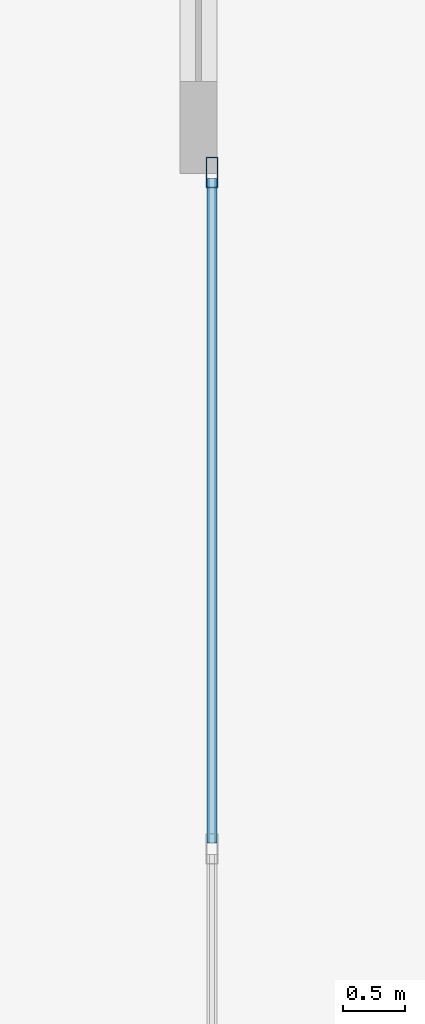
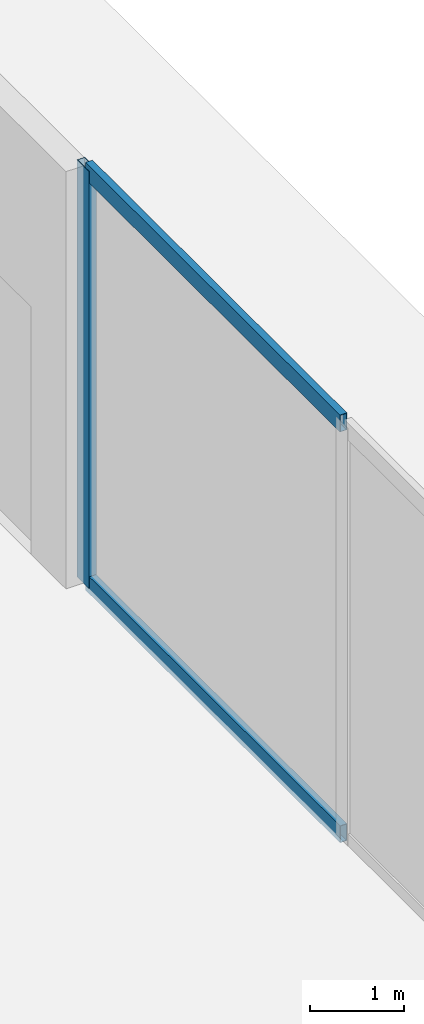
# One storey, part 14 of 27: 3 members, 1 element without a shape of its own.
"""IFC4 building model written with IfcOpenShell, lengths in metres."""

from ifc_helpers import new_model, si_unit, direction, frame, origin, origin_2d, place, context, subcontext, project, spatial, hollow_rectangle, extrude, material, layer, layer_set, material_profile, profile_set, type_object, element, aggregate, save


model = new_model("IFC4")

# Units and contexts
model_context = context("Model", 3, precision=1e-05, world=origin(), true_north=direction((0.0, 1.0)))
body_context = subcontext(model_context, "Body", "Model", "MODEL_VIEW")
ifc_project = project(units=[si_unit("LENGTHUNIT", "METRE"), si_unit("AREAUNIT", "SQUARE_METRE"), si_unit("VOLUMEUNIT", "CUBIC_METRE"), si_unit("PLANEANGLEUNIT", "RADIAN"), si_unit("MASSUNIT", "GRAM", prefix="KILO"), si_unit("THERMODYNAMICTEMPERATUREUNIT", "KELVIN"), si_unit("POWERUNIT", "WATT")], contexts=[model_context])

# Site, building, storey
site_placement = place(None, origin())
site = spatial("IfcSite", under=ifc_project, at=site_placement, CompositionType="ELEMENT")
building_placement = place(site_placement, origin())
building = spatial("IfcBuilding", under=site, at=building_placement, Name="Svarakhadi Broadcast Tower", CompositionType="ELEMENT")
storey_placement = place(building_placement, origin())
storey = spatial("IfcBuildingStorey", under=building, at=storey_placement, Name="L00", CompositionType="ELEMENT", Elevation=0.0)

# Curtain wall, members
ifc_material = material(Name="Anodised Bronze Aluminium AA 6063-T6", Category="aluminium")
ifc_layer = layer(ifc_material, 0.25)
ifc_layer_set = layer_set([ifc_layer], Name="Anodised Bronze Aluminium AA 6063-T6")
curtain_wall_type = type_object("IfcCurtainWallType", Name="CW_Sys_01", PredefinedType="NOTDEFINED", material=ifc_layer_set)
curtain_wall_placement = place(storey_placement, origin())
curtain_wall = element("IfcCurtainWall", 1, at=curtain_wall_placement, inside=storey, type_object=curtain_wall_type, Name="L00 Podium Glazed Curtain Wall 03", PredefinedType="NOTDEFINED")
ifc_material_profile_1 = material_profile(ifc_material, hollow_rectangle(XDim=0.094970703125, YDim=0.25, WallThickness=0.006103515625, at=origin_2d()), Name="ALU MULLION 250x95x6")
ifc_profile_set_1 = profile_set([ifc_material_profile_1], Name="Anodised Bronze Aluminium AA 6063-T6")
member_type_1 = type_object("IfcMemberType", Name="CW_Sys_01_Mul", PredefinedType="MULLION", material=ifc_profile_set_1)
member_1_placement = place(storey_placement, frame((62.9599609375, 40.262451171875, 0.0), z_axis=(0.0, 0.0, 1.0), x_axis=(1.0, 0.0, 0.0)))
member_1 = element("IfcMember", 2, at=member_1_placement, type_object=member_type_1, Name="CW-01 mullion 1", PredefinedType="MULLION", context=body_context, shape_type="SweptSolid", body=[
    extrude(hollow_rectangle(XDim=0.094970703125, YDim=0.25, WallThickness=0.006103515625, at=origin_2d()), origin(), (0.0, 0.0, 1.0), 5.39990234375),
])
ifc_material_profile_2 = material_profile(ifc_material, hollow_rectangle(XDim=0.0849609375, YDim=0.219970703125, WallThickness=0.0048828125, at=origin_2d()), Name="ALU TRANSOM 220x85x5")
ifc_profile_set_2 = profile_set([ifc_material_profile_2], Name="Anodised Bronze Aluminium AA 6063-T6")
member_type_2 = type_object("IfcMemberType", Name="CW_Sys_01_Trn", PredefinedType="USERDEFINED", material=ifc_profile_set_2)
member_2_placement = place(storey_placement, frame((62.9599609375, 40.215087890625, 0.04248046875), z_axis=(0.0, -1.0, 0.0), x_axis=(1.0, 0.0, 0.0)))
member_2 = element("IfcMember", 3, at=member_2_placement, type_object=member_type_2, Name="CW-01 transom 1.1", ObjectType="TRANSOM", PredefinedType="USERDEFINED", context=body_context, shape_type="SweptSolid", body=[
    extrude(hollow_rectangle(XDim=0.0849609375, YDim=0.219970703125, WallThickness=0.0048828125, at=origin_2d()), origin(), (0.0, 0.0, 1.0), 5.392578125),
])
member_3_placement = place(storey_placement, frame((62.9599609375, 40.215087890625, 5.357421875), z_axis=(0.0, -1.0, 0.0), x_axis=(1.0, 0.0, 0.0)))
member_3 = element("IfcMember", 4, at=member_3_placement, type_object=member_type_2, Name="CW-01 transom 1.2", ObjectType="TRANSOM", PredefinedType="USERDEFINED", context=body_context, shape_type="SweptSolid", body=[
    extrude(hollow_rectangle(XDim=0.0849609375, YDim=0.219970703125, WallThickness=0.0048828125, at=origin_2d()), origin(), (0.0, 0.0, 1.0), 5.392578125),
])
aggregate(curtain_wall, [member_1, member_2, member_3])

save(model, "model.ifc")
